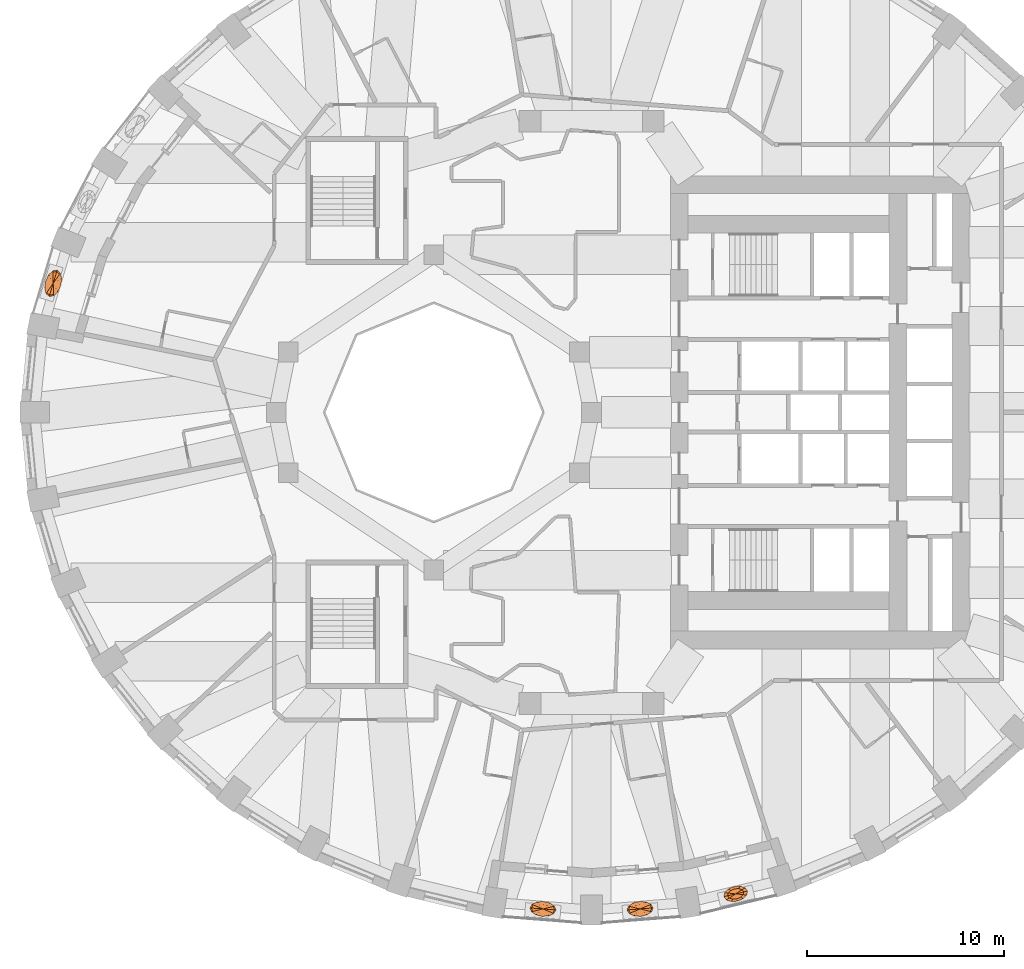
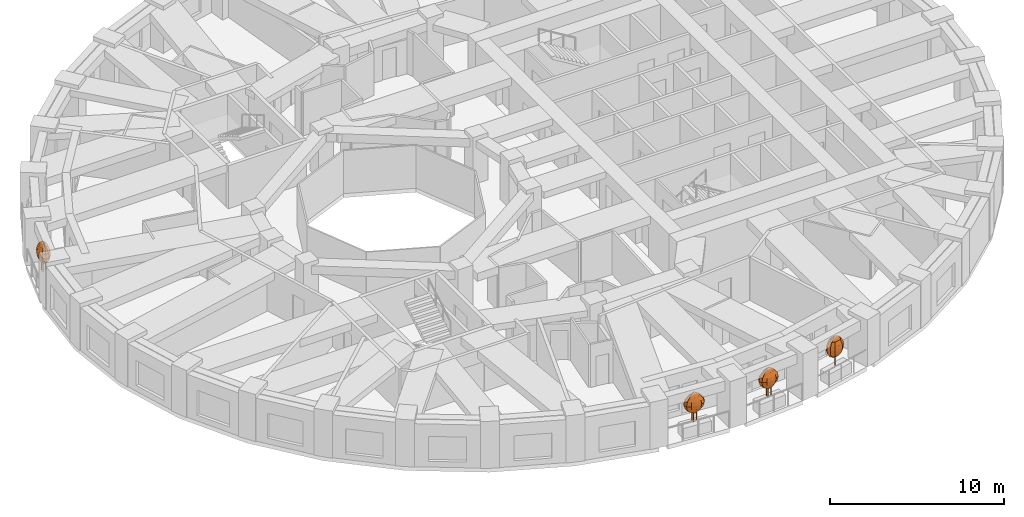
# One storey, part 12 of 13: 4 geographic elements.
"""IFC4 building model written with IfcOpenShell, lengths in metres."""

from ifc_helpers import new_model, si_unit, direction, frame, origin, place, context, subcontext, project, spatial, faceted_brep, material, constituent, constituent_set, type_object, element, save


model = new_model("IFC4")

# Units and contexts
model_context = context("Model", 3, precision=1e-05, world=origin(), true_north=direction((0.0, 1.0)))
body_context = subcontext(model_context, "Body", "Model", "MODEL_VIEW")
ifc_project = project(units=[si_unit("LENGTHUNIT", "METRE"), si_unit("AREAUNIT", "SQUARE_METRE"), si_unit("VOLUMEUNIT", "CUBIC_METRE"), si_unit("PLANEANGLEUNIT", "RADIAN"), si_unit("MASSUNIT", "GRAM", prefix="KILO")], contexts=[model_context])

# Site, building, storey
site_placement = place(None, origin())
site = spatial("IfcSite", under=ifc_project, at=site_placement, CompositionType="ELEMENT")
building_placement = place(site_placement, origin())
building = spatial("IfcBuilding", under=site, at=building_placement, Name="Taillehof Tower", CompositionType="ELEMENT")
storey_placement = place(building_placement, frame((0.0, 0.0, 31.60009765625)))
storey = spatial("IfcBuildingStorey", under=building, at=storey_placement, Name="L07", CompositionType="ELEMENT", Elevation=31.60009765625)

# Geographic elements
ifc_material_1 = material(Name="Tree bark", Category="timber")
ifc_constituent_1 = constituent(ifc_material_1, Name="Trunk", Category="timber")
ifc_material_2 = material(Name="Tree foliage")
ifc_constituent_2 = constituent(ifc_material_2, Name="Crown")
ifc_constituent_set_1 = constituent_set(constituents=[ifc_constituent_1, ifc_constituent_2], Name="Tree TR1 Columnar hornbeam")
geographic_element_type_1 = type_object("IfcGeographicElementType", Name="Tree TR1 Columnar hornbeam", PredefinedType="USERDEFINED", material=ifc_constituent_set_1)
geographic_element_1_placement = place(storey_placement, frame((7.31640625, -24.430419921875, 0.75)))
element("IfcGeographicElement", 1, at=geographic_element_1_placement, inside=storey, type_object=geographic_element_type_1, Name="Tree TR1 Columnar hornbeam", ObjectType="TREE", PredefinedType="USERDEFINED", context=body_context, shape_type="Brep", body=[
    faceted_brep([(0.030029296875, 0.0, 0.0), (0.021240234375, 0.021240234375, 0.0), (0.021240234375, 0.021240234375, 1.092529296875), (0.030029296875, 0.0, 1.092529296875), (0.0, 0.030029296875, 0.0), (0.0, 0.030029296875, 1.092529296875), (-0.021240234375, 0.021240234375, 0.0), (-0.021240234375, 0.021240234375, 1.092529296875), (-0.030029296875, 0.0, 0.0), (-0.030029296875, 0.0, 1.092529296875), (-0.021240234375, -0.021240234375, 0.0), (-0.021240234375, -0.021240234375, 1.092529296875), (0.0, -0.030029296875, 0.0), (0.0, -0.030029296875, 1.092529296875), (0.021240234375, -0.021240234375, 0.0), (0.021240234375, -0.021240234375, 1.092529296875)], [[[0, 1, 2, 3]], [[1, 4, 5, 2]], [[4, 6, 7, 5]], [[6, 8, 9, 7]], [[8, 10, 11, 9]], [[10, 12, 13, 11]], [[12, 14, 15, 13]], [[14, 0, 3, 15]], [[14, 12, 10, 8, 6, 4, 1, 0]], [[3, 2, 5, 7, 9, 11, 13, 15]]]),
    faceted_brep([(0.0, 0.0, 0.550048828125), (0.324951171875, 0.211181640625, 0.808349609375), (0.41015625, 0.09814453125, 0.808349609375), (0.15283203125, 0.267822265625, 0.808349609375), (-0.060546875, 0.25244140625, 0.808349609375), (-0.25732421875, 0.16943359375, 0.808349609375), (-0.385498046875, 0.041015625, 0.808349609375), (-0.41015625, -0.09814453125, 0.808349609375), (-0.324951171875, -0.211181640625, 0.808349609375), (-0.15283203125, -0.267822265625, 0.808349609375), (0.060546875, -0.25244140625, 0.808349609375), (0.25732421875, -0.16943359375, 0.808349609375), (0.385498046875, -0.041015625, 0.808349609375), (0.439697265625, 0.285888671875, 1.066650390625), (0.554931640625, 0.1328125, 1.066650390625), (0.20654296875, 0.362060546875, 1.066650390625), (-0.081787109375, 0.341552734375, 1.066650390625), (-0.34814453125, 0.229248046875, 1.066650390625), (-0.521484375, 0.0556640625, 1.066650390625), (-0.554931640625, -0.1328125, 1.066650390625), (-0.439697265625, -0.285888671875, 1.066650390625), (-0.20654296875, -0.362060546875, 1.066650390625), (0.081787109375, -0.341552734375, 1.066650390625), (0.34814453125, -0.229248046875, 1.066650390625), (0.521484375, -0.0556640625, 1.066650390625), (0.475830078125, 0.309326171875, 1.324951171875), (0.6005859375, 0.143798828125, 1.324951171875), (0.2236328125, 0.391845703125, 1.324951171875), (-0.088623046875, 0.36962890625, 1.324951171875), (-0.376953125, 0.248046875, 1.324951171875), (-0.564208984375, 0.060302734375, 1.324951171875), (-0.6005859375, -0.143798828125, 1.324951171875), (-0.475830078125, -0.309326171875, 1.324951171875), (-0.2236328125, -0.391845703125, 1.324951171875), (0.088623046875, -0.36962890625, 1.324951171875), (0.376953125, -0.248046875, 1.324951171875), (0.564208984375, -0.060302734375, 1.324951171875), (0.439697265625, 0.285888671875, 1.583251953125), (0.554931640625, 0.1328125, 1.583251953125), (0.20654296875, 0.362060546875, 1.583251953125), (-0.081787109375, 0.341552734375, 1.583251953125), (-0.34814453125, 0.229248046875, 1.583251953125), (-0.521484375, 0.0556640625, 1.583251953125), (-0.554931640625, -0.1328125, 1.583251953125), (-0.439697265625, -0.285888671875, 1.583251953125), (-0.20654296875, -0.362060546875, 1.583251953125), (0.081787109375, -0.341552734375, 1.583251953125), (0.34814453125, -0.229248046875, 1.583251953125), (0.521484375, -0.0556640625, 1.583251953125), (0.324951171875, 0.211181640625, 1.841552734375), (0.41015625, 0.09814453125, 1.841552734375), (0.15283203125, 0.267822265625, 1.841552734375), (-0.060546875, 0.25244140625, 1.841552734375), (-0.25732421875, 0.16943359375, 1.841552734375), (-0.385498046875, 0.041015625, 1.841552734375), (-0.41015625, -0.09814453125, 1.841552734375), (-0.324951171875, -0.211181640625, 1.841552734375), (-0.15283203125, -0.267822265625, 1.841552734375), (0.060546875, -0.25244140625, 1.841552734375), (0.25732421875, -0.16943359375, 1.841552734375), (0.385498046875, -0.041015625, 1.841552734375), (0.0, 0.0, 2.10009765625)], [[[0, 1, 2]], [[0, 3, 1]], [[0, 4, 3]], [[0, 5, 4]], [[0, 6, 5]], [[0, 7, 6]], [[0, 8, 7]], [[0, 9, 8]], [[0, 10, 9]], [[0, 11, 10]], [[0, 12, 11]], [[0, 2, 12]], [[2, 1, 13, 14]], [[1, 3, 15, 13]], [[3, 4, 16, 15]], [[4, 5, 17, 16]], [[5, 6, 18, 17]], [[6, 7, 19, 18]], [[7, 8, 20, 19]], [[8, 9, 21, 20]], [[9, 10, 22, 21]], [[10, 11, 23, 22]], [[11, 12, 24, 23]], [[12, 2, 14, 24]], [[14, 13, 25, 26]], [[13, 15, 27, 25]], [[15, 16, 28, 27]], [[16, 17, 29, 28]], [[17, 18, 30, 29]], [[18, 19, 31, 30]], [[19, 20, 32, 31]], [[20, 21, 33, 32]], [[21, 22, 34, 33]], [[22, 23, 35, 34]], [[23, 24, 36, 35]], [[24, 14, 26, 36]], [[26, 25, 37, 38]], [[25, 27, 39, 37]], [[27, 28, 40, 39]], [[28, 29, 41, 40]], [[29, 30, 42, 41]], [[30, 31, 43, 42]], [[31, 32, 44, 43]], [[32, 33, 45, 44]], [[33, 34, 46, 45]], [[34, 35, 47, 46]], [[35, 36, 48, 47]], [[36, 26, 38, 48]], [[38, 37, 49, 50]], [[37, 39, 51, 49]], [[39, 40, 52, 51]], [[40, 41, 53, 52]], [[41, 42, 54, 53]], [[42, 43, 55, 54]], [[43, 44, 56, 55]], [[44, 45, 57, 56]], [[45, 46, 58, 57]], [[46, 47, 59, 58]], [[47, 48, 60, 59]], [[48, 38, 50, 60]], [[50, 49, 61]], [[49, 51, 61]], [[51, 52, 61]], [[52, 53, 61]], [[53, 54, 61]], [[54, 55, 61]], [[55, 56, 61]], [[56, 57, 61]], [[57, 58, 61]], [[58, 59, 61]], [[59, 60, 61]], [[60, 50, 61]]]),
])
ifc_material_3 = material(Name="Tree bark", Category="timber")
ifc_constituent_3 = constituent(ifc_material_3, Name="Trunk", Category="timber")
ifc_material_4 = material(Name="Tree foliage")
ifc_constituent_4 = constituent(ifc_material_4, Name="Crown")
ifc_constituent_set_2 = constituent_set(constituents=[ifc_constituent_3, ifc_constituent_4], Name="Tree TR3 Multi-stem serviceberry")
geographic_element_type_2 = type_object("IfcGeographicElementType", Name="Tree TR3 Multi-stem serviceberry", PredefinedType="USERDEFINED", material=ifc_constituent_set_2)
geographic_element_2_placement = place(storey_placement, frame((-27.314697265625, 6.548583984375, 0.75)))
element("IfcGeographicElement", 2, at=geographic_element_2_placement, inside=storey, type_object=geographic_element_type_2, Name="Tree TR3 Multi-stem serviceberry", ObjectType="TREE", PredefinedType="USERDEFINED", context=body_context, shape_type="Brep", body=[
    faceted_brep([(0.203857421875, 0.0, 0.0), (0.1953125, 0.0205078125, 0.0), (0.1953125, 0.0205078125, 1.04248046875), (0.203857421875, 0.0, 1.04248046875), (0.175048828125, 0.02880859375, 0.0), (0.175048828125, 0.02880859375, 1.04248046875), (0.154541015625, 0.0205078125, 0.0), (0.154541015625, 0.0205078125, 1.04248046875), (0.146240234375, 0.0, 0.0), (0.146240234375, 0.0, 1.04248046875), (0.154541015625, -0.0205078125, 0.0), (0.154541015625, -0.0205078125, 1.04248046875), (0.175048828125, -0.02880859375, 0.0), (0.175048828125, -0.02880859375, 1.04248046875), (0.1953125, -0.0205078125, 0.0), (0.1953125, -0.0205078125, 1.04248046875)], [[[0, 1, 2, 3]], [[1, 4, 5, 2]], [[4, 6, 7, 5]], [[6, 8, 9, 7]], [[8, 10, 11, 9]], [[10, 12, 13, 11]], [[12, 14, 15, 13]], [[14, 0, 3, 15]], [[14, 12, 10, 8, 6, 4, 1, 0]], [[3, 2, 5, 7, 9, 11, 13, 15]]]),
    faceted_brep([(-0.05859375, 0.086669921875, 0.0), (-0.067138671875, 0.10693359375, 0.0), (-0.067138671875, 0.10693359375, 1.04248046875), (-0.05859375, 0.086669921875, 1.04248046875), (-0.08740234375, 0.115478515625, 0.0), (-0.08740234375, 0.115478515625, 1.04248046875), (-0.10791015625, 0.10693359375, 0.0), (-0.10791015625, 0.10693359375, 1.04248046875), (-0.116455078125, 0.086669921875, 0.0), (-0.116455078125, 0.086669921875, 1.04248046875), (-0.10791015625, 0.066162109375, 0.0), (-0.10791015625, 0.066162109375, 1.04248046875), (-0.08740234375, 0.0576171875, 0.0), (-0.08740234375, 0.0576171875, 1.04248046875), (-0.067138671875, 0.066162109375, 0.0), (-0.067138671875, 0.066162109375, 1.04248046875)], [[[0, 1, 2, 3]], [[1, 4, 5, 2]], [[4, 6, 7, 5]], [[6, 8, 9, 7]], [[8, 10, 11, 9]], [[10, 12, 13, 11]], [[12, 14, 15, 13]], [[14, 0, 3, 15]], [[14, 12, 10, 8, 6, 4, 1, 0]], [[3, 2, 5, 7, 9, 11, 13, 15]]]),
    faceted_brep([(-0.05859375, -0.086669921875, 0.0), (-0.067138671875, -0.066162109375, 0.0), (-0.067138671875, -0.066162109375, 1.04248046875), (-0.05859375, -0.086669921875, 1.04248046875), (-0.08740234375, -0.0576171875, 0.0), (-0.08740234375, -0.0576171875, 1.04248046875), (-0.10791015625, -0.066162109375, 0.0), (-0.10791015625, -0.066162109375, 1.04248046875), (-0.116455078125, -0.086669921875, 0.0), (-0.116455078125, -0.086669921875, 1.04248046875), (-0.10791015625, -0.10693359375, 0.0), (-0.10791015625, -0.10693359375, 1.04248046875), (-0.08740234375, -0.115478515625, 0.0), (-0.08740234375, -0.115478515625, 1.04248046875), (-0.067138671875, -0.10693359375, 0.0), (-0.067138671875, -0.10693359375, 1.04248046875)], [[[0, 1, 2, 3]], [[1, 4, 5, 2]], [[4, 6, 7, 5]], [[6, 8, 9, 7]], [[8, 10, 11, 9]], [[10, 12, 13, 11]], [[12, 14, 15, 13]], [[14, 0, 3, 15]], [[14, 12, 10, 8, 6, 4, 1, 0]], [[3, 2, 5, 7, 9, 11, 13, 15]]]),
    faceted_brep([(0.0, 0.0, 0.5), (0.010009765625, -0.366455078125, 0.75830078125), (-0.115478515625, -0.385009765625, 0.75830078125), (0.1328125, -0.249755859375, 0.75830078125), (0.219970703125, -0.06591796875, 0.75830078125), (0.248291015625, 0.135498046875, 0.75830078125), (0.2099609375, 0.300537109375, 0.75830078125), (0.115478515625, 0.385009765625, 0.75830078125), (-0.010009765625, 0.366455078125, 0.75830078125), (-0.1328125, 0.249755859375, 0.75830078125), (-0.219970703125, 0.06591796875, 0.75830078125), (-0.248291015625, -0.135498046875, 0.75830078125), (-0.2099609375, -0.300537109375, 0.75830078125), (0.015625, -0.56884765625, 1.0166015625), (-0.17919921875, -0.59765625, 1.0166015625), (0.206298828125, -0.387451171875, 1.0166015625), (0.341552734375, -0.102294921875, 1.0166015625), (0.38525390625, 0.210205078125, 1.0166015625), (0.325927734375, 0.46630859375, 1.0166015625), (0.17919921875, 0.59765625, 1.0166015625), (-0.015625, 0.56884765625, 1.0166015625), (-0.206298828125, 0.387451171875, 1.0166015625), (-0.341552734375, 0.102294921875, 1.0166015625), (-0.38525390625, -0.210205078125, 1.0166015625), (-0.325927734375, -0.46630859375, 1.0166015625), (0.017578125, -0.63818359375, 1.27490234375), (-0.200927734375, -0.67041015625, 1.27490234375), (0.2314453125, -0.434814453125, 1.27490234375), (0.383056640625, -0.11474609375, 1.27490234375), (0.432373046875, 0.23583984375, 1.27490234375), (0.36572265625, 0.523193359375, 1.27490234375), (0.200927734375, 0.67041015625, 1.27490234375), (-0.017578125, 0.63818359375, 1.27490234375), (-0.2314453125, 0.434814453125, 1.27490234375), (-0.383056640625, 0.11474609375, 1.27490234375), (-0.432373046875, -0.23583984375, 1.27490234375), (-0.36572265625, -0.523193359375, 1.27490234375), (0.015625, -0.56884765625, 1.533447265625), (-0.17919921875, -0.59765625, 1.533447265625), (0.206298828125, -0.387451171875, 1.533447265625), (0.341552734375, -0.102294921875, 1.533447265625), (0.38525390625, 0.210205078125, 1.533447265625), (0.325927734375, 0.46630859375, 1.533447265625), (0.17919921875, 0.59765625, 1.533447265625), (-0.015625, 0.56884765625, 1.533447265625), (-0.206298828125, 0.387451171875, 1.533447265625), (-0.341552734375, 0.102294921875, 1.533447265625), (-0.38525390625, -0.210205078125, 1.533447265625), (-0.325927734375, -0.46630859375, 1.533447265625), (0.010009765625, -0.366455078125, 1.791748046875), (-0.115478515625, -0.385009765625, 1.791748046875), (0.1328125, -0.249755859375, 1.791748046875), (0.219970703125, -0.06591796875, 1.791748046875), (0.248291015625, 0.135498046875, 1.791748046875), (0.2099609375, 0.300537109375, 1.791748046875), (0.115478515625, 0.385009765625, 1.791748046875), (-0.010009765625, 0.366455078125, 1.791748046875), (-0.1328125, 0.249755859375, 1.791748046875), (-0.219970703125, 0.06591796875, 1.791748046875), (-0.248291015625, -0.135498046875, 1.791748046875), (-0.2099609375, -0.300537109375, 1.791748046875), (0.0, 0.0, 2.050048828125)], [[[0, 1, 2]], [[0, 3, 1]], [[0, 4, 3]], [[0, 5, 4]], [[0, 6, 5]], [[0, 7, 6]], [[0, 8, 7]], [[0, 9, 8]], [[0, 10, 9]], [[0, 11, 10]], [[0, 12, 11]], [[0, 2, 12]], [[2, 1, 13, 14]], [[1, 3, 15, 13]], [[3, 4, 16, 15]], [[4, 5, 17, 16]], [[5, 6, 18, 17]], [[6, 7, 19, 18]], [[7, 8, 20, 19]], [[8, 9, 21, 20]], [[9, 10, 22, 21]], [[10, 11, 23, 22]], [[11, 12, 24, 23]], [[12, 2, 14, 24]], [[14, 13, 25, 26]], [[13, 15, 27, 25]], [[15, 16, 28, 27]], [[16, 17, 29, 28]], [[17, 18, 30, 29]], [[18, 19, 31, 30]], [[19, 20, 32, 31]], [[20, 21, 33, 32]], [[21, 22, 34, 33]], [[22, 23, 35, 34]], [[23, 24, 36, 35]], [[24, 14, 26, 36]], [[26, 25, 37, 38]], [[25, 27, 39, 37]], [[27, 28, 40, 39]], [[28, 29, 41, 40]], [[29, 30, 42, 41]], [[30, 31, 43, 42]], [[31, 32, 44, 43]], [[32, 33, 45, 44]], [[33, 34, 46, 45]], [[34, 35, 47, 46]], [[35, 36, 48, 47]], [[36, 26, 38, 48]], [[38, 37, 49, 50]], [[37, 39, 51, 49]], [[39, 40, 52, 51]], [[40, 41, 53, 52]], [[41, 42, 54, 53]], [[42, 43, 55, 54]], [[43, 44, 56, 55]], [[44, 45, 57, 56]], [[45, 46, 58, 57]], [[46, 47, 59, 58]], [[47, 48, 60, 59]], [[48, 38, 50, 60]], [[50, 49, 61]], [[49, 51, 61]], [[51, 52, 61]], [[52, 53, 61]], [[53, 54, 61]], [[54, 55, 61]], [[55, 56, 61]], [[56, 57, 61]], [[57, 58, 61]], [[58, 59, 61]], [[59, 60, 61]], [[60, 50, 61]]]),
])
geographic_element_3_placement = place(storey_placement, frame((-2.463623046875, -25.195556640625, 0.75)))
element("IfcGeographicElement", 3, at=geographic_element_3_placement, inside=storey, type_object=geographic_element_type_2, Name="Tree TR3 Multi-stem serviceberry", ObjectType="TREE", PredefinedType="USERDEFINED", context=body_context, shape_type="Brep", body=[
    faceted_brep([(0.195068359375, 0.0, 0.0), (0.186767578125, 0.0205078125, 0.0), (0.186767578125, 0.0205078125, 1.04248046875), (0.195068359375, 0.0, 1.04248046875), (0.166259765625, 0.02880859375, 0.0), (0.166259765625, 0.02880859375, 1.04248046875), (0.145751953125, 0.0205078125, 0.0), (0.145751953125, 0.0205078125, 1.04248046875), (0.137451171875, 0.0, 0.0), (0.137451171875, 0.0, 1.04248046875), (0.145751953125, -0.0205078125, 0.0), (0.145751953125, -0.0205078125, 1.04248046875), (0.166259765625, -0.02880859375, 0.0), (0.166259765625, -0.02880859375, 1.04248046875), (0.186767578125, -0.0205078125, 0.0), (0.186767578125, -0.0205078125, 1.04248046875)], [[[0, 1, 2, 3]], [[1, 4, 5, 2]], [[4, 6, 7, 5]], [[6, 8, 9, 7]], [[8, 10, 11, 9]], [[10, 12, 13, 11]], [[12, 14, 15, 13]], [[14, 0, 3, 15]], [[14, 12, 10, 8, 6, 4, 1, 0]], [[3, 2, 5, 7, 9, 11, 13, 15]]]),
    faceted_brep([(-0.05419921875, 0.082275390625, 0.0), (-0.062744140625, 0.102783203125, 0.0), (-0.062744140625, 0.102783203125, 1.04248046875), (-0.05419921875, 0.082275390625, 1.04248046875), (-0.0830078125, 0.111083984375, 0.0), (-0.0830078125, 0.111083984375, 1.04248046875), (-0.103515625, 0.102783203125, 0.0), (-0.103515625, 0.102783203125, 1.04248046875), (-0.112060546875, 0.082275390625, 0.0), (-0.112060546875, 0.082275390625, 1.04248046875), (-0.103515625, 0.061767578125, 0.0), (-0.103515625, 0.061767578125, 1.04248046875), (-0.0830078125, 0.053466796875, 0.0), (-0.0830078125, 0.053466796875, 1.04248046875), (-0.062744140625, 0.061767578125, 0.0), (-0.062744140625, 0.061767578125, 1.04248046875)], [[[0, 1, 2, 3]], [[1, 4, 5, 2]], [[4, 6, 7, 5]], [[6, 8, 9, 7]], [[8, 10, 11, 9]], [[10, 12, 13, 11]], [[12, 14, 15, 13]], [[14, 0, 3, 15]], [[14, 12, 10, 8, 6, 4, 1, 0]], [[3, 2, 5, 7, 9, 11, 13, 15]]]),
    faceted_brep([(-0.05419921875, -0.082275390625, 0.0), (-0.062744140625, -0.061767578125, 0.0), (-0.062744140625, -0.061767578125, 1.04248046875), (-0.05419921875, -0.082275390625, 1.04248046875), (-0.0830078125, -0.053466796875, 0.0), (-0.0830078125, -0.053466796875, 1.04248046875), (-0.103515625, -0.061767578125, 0.0), (-0.103515625, -0.061767578125, 1.04248046875), (-0.112060546875, -0.082275390625, 0.0), (-0.112060546875, -0.082275390625, 1.04248046875), (-0.103515625, -0.102783203125, 0.0), (-0.103515625, -0.102783203125, 1.04248046875), (-0.0830078125, -0.111083984375, 0.0), (-0.0830078125, -0.111083984375, 1.04248046875), (-0.062744140625, -0.102783203125, 0.0), (-0.062744140625, -0.102783203125, 1.04248046875)], [[[0, 1, 2, 3]], [[1, 4, 5, 2]], [[4, 6, 7, 5]], [[6, 8, 9, 7]], [[8, 10, 11, 9]], [[10, 12, 13, 11]], [[12, 14, 15, 13]], [[14, 0, 3, 15]], [[14, 12, 10, 8, 6, 4, 1, 0]], [[3, 2, 5, 7, 9, 11, 13, 15]]]),
    faceted_brep([(0.0, 0.0, 0.5), (0.33837890625, 0.0830078125, 0.75830078125), (0.380859375, -0.02978515625, 0.75830078125), (0.205078125, 0.173583984375, 0.75830078125), (0.01708984375, 0.217529296875, 0.75830078125), (-0.175537109375, 0.203369140625, 0.75830078125), (-0.3212890625, 0.134521484375, 0.75830078125), (-0.380859375, 0.02978515625, 0.75830078125), (-0.33837890625, -0.0830078125, 0.75830078125), (-0.205078125, -0.173583984375, 0.75830078125), (-0.01708984375, -0.217529296875, 0.75830078125), (0.175537109375, -0.203369140625, 0.75830078125), (0.3212890625, -0.134521484375, 0.75830078125), (0.52490234375, 0.12890625, 1.0166015625), (0.5908203125, -0.046142578125, 1.0166015625), (0.318359375, 0.269287109375, 1.0166015625), (0.0263671875, 0.337646484375, 1.0166015625), (-0.272705078125, 0.3154296875, 1.0166015625), (-0.49853515625, 0.208740234375, 1.0166015625), (-0.5908203125, 0.046142578125, 1.0166015625), (-0.52490234375, -0.12890625, 1.0166015625), (-0.318359375, -0.269287109375, 1.0166015625), (-0.0263671875, -0.337646484375, 1.0166015625), (0.272705078125, -0.3154296875, 1.0166015625), (0.49853515625, -0.208740234375, 1.0166015625), (0.5888671875, 0.14453125, 1.27490234375), (0.6630859375, -0.0517578125, 1.27490234375), (0.357177734375, 0.30224609375, 1.27490234375), (0.029541015625, 0.37890625, 1.27490234375), (-0.305908203125, 0.35400390625, 1.27490234375), (-0.559326171875, 0.234375, 1.27490234375), (-0.6630859375, 0.0517578125, 1.27490234375), (-0.5888671875, -0.14453125, 1.27490234375), (-0.357177734375, -0.30224609375, 1.27490234375), (-0.029541015625, -0.37890625, 1.27490234375), (0.305908203125, -0.35400390625, 1.27490234375), (0.559326171875, -0.234375, 1.27490234375), (0.52490234375, 0.12890625, 1.533447265625), (0.5908203125, -0.046142578125, 1.533447265625), (0.318359375, 0.269287109375, 1.533447265625), (0.0263671875, 0.337646484375, 1.533447265625), (-0.272705078125, 0.3154296875, 1.533447265625), (-0.49853515625, 0.208740234375, 1.533447265625), (-0.5908203125, 0.046142578125, 1.533447265625), (-0.52490234375, -0.12890625, 1.533447265625), (-0.318359375, -0.269287109375, 1.533447265625), (-0.0263671875, -0.337646484375, 1.533447265625), (0.272705078125, -0.3154296875, 1.533447265625), (0.49853515625, -0.208740234375, 1.533447265625), (0.33837890625, 0.0830078125, 1.791748046875), (0.380859375, -0.02978515625, 1.791748046875), (0.205078125, 0.173583984375, 1.791748046875), (0.01708984375, 0.217529296875, 1.791748046875), (-0.175537109375, 0.203369140625, 1.791748046875), (-0.3212890625, 0.134521484375, 1.791748046875), (-0.380859375, 0.02978515625, 1.791748046875), (-0.33837890625, -0.0830078125, 1.791748046875), (-0.205078125, -0.173583984375, 1.791748046875), (-0.01708984375, -0.217529296875, 1.791748046875), (0.175537109375, -0.203369140625, 1.791748046875), (0.3212890625, -0.134521484375, 1.791748046875), (0.0, 0.0, 2.050048828125)], [[[0, 1, 2]], [[0, 3, 1]], [[0, 4, 3]], [[0, 5, 4]], [[0, 6, 5]], [[0, 7, 6]], [[0, 8, 7]], [[0, 9, 8]], [[0, 10, 9]], [[0, 11, 10]], [[0, 12, 11]], [[0, 2, 12]], [[2, 1, 13, 14]], [[1, 3, 15, 13]], [[3, 4, 16, 15]], [[4, 5, 17, 16]], [[5, 6, 18, 17]], [[6, 7, 19, 18]], [[7, 8, 20, 19]], [[8, 9, 21, 20]], [[9, 10, 22, 21]], [[10, 11, 23, 22]], [[11, 12, 24, 23]], [[12, 2, 14, 24]], [[14, 13, 25, 26]], [[13, 15, 27, 25]], [[15, 16, 28, 27]], [[16, 17, 29, 28]], [[17, 18, 30, 29]], [[18, 19, 31, 30]], [[19, 20, 32, 31]], [[20, 21, 33, 32]], [[21, 22, 34, 33]], [[22, 23, 35, 34]], [[23, 24, 36, 35]], [[24, 14, 26, 36]], [[26, 25, 37, 38]], [[25, 27, 39, 37]], [[27, 28, 40, 39]], [[28, 29, 41, 40]], [[29, 30, 42, 41]], [[30, 31, 43, 42]], [[31, 32, 44, 43]], [[32, 33, 45, 44]], [[33, 34, 46, 45]], [[34, 35, 47, 46]], [[35, 36, 48, 47]], [[36, 26, 38, 48]], [[38, 37, 49, 50]], [[37, 39, 51, 49]], [[39, 40, 52, 51]], [[40, 41, 53, 52]], [[41, 42, 54, 53]], [[42, 43, 55, 54]], [[43, 44, 56, 55]], [[44, 45, 57, 56]], [[45, 46, 58, 57]], [[46, 47, 59, 58]], [[47, 48, 60, 59]], [[48, 38, 50, 60]], [[50, 49, 61]], [[49, 51, 61]], [[51, 52, 61]], [[52, 53, 61]], [[53, 54, 61]], [[54, 55, 61]], [[55, 56, 61]], [[56, 57, 61]], [[57, 58, 61]], [[58, 59, 61]], [[59, 60, 61]], [[60, 50, 61]]]),
])
geographic_element_4_placement = place(storey_placement, frame((2.463623046875, -25.195556640625, 0.75)))
element("IfcGeographicElement", 4, at=geographic_element_4_placement, inside=storey, type_object=geographic_element_type_2, Name="Tree TR3 Multi-stem serviceberry", ObjectType="TREE", PredefinedType="USERDEFINED", context=body_context, shape_type="Brep", body=[
    faceted_brep([(0.195068359375, 0.0, 0.0), (0.186767578125, 0.0205078125, 0.0), (0.186767578125, 0.0205078125, 1.04248046875), (0.195068359375, 0.0, 1.04248046875), (0.166259765625, 0.02880859375, 0.0), (0.166259765625, 0.02880859375, 1.04248046875), (0.145751953125, 0.0205078125, 0.0), (0.145751953125, 0.0205078125, 1.04248046875), (0.137451171875, 0.0, 0.0), (0.137451171875, 0.0, 1.04248046875), (0.145751953125, -0.0205078125, 0.0), (0.145751953125, -0.0205078125, 1.04248046875), (0.166259765625, -0.02880859375, 0.0), (0.166259765625, -0.02880859375, 1.04248046875), (0.186767578125, -0.0205078125, 0.0), (0.186767578125, -0.0205078125, 1.04248046875)], [[[0, 1, 2, 3]], [[1, 4, 5, 2]], [[4, 6, 7, 5]], [[6, 8, 9, 7]], [[8, 10, 11, 9]], [[10, 12, 13, 11]], [[12, 14, 15, 13]], [[14, 0, 3, 15]], [[14, 12, 10, 8, 6, 4, 1, 0]], [[3, 2, 5, 7, 9, 11, 13, 15]]]),
    faceted_brep([(-0.05419921875, 0.082275390625, 0.0), (-0.062744140625, 0.102783203125, 0.0), (-0.062744140625, 0.102783203125, 1.04248046875), (-0.05419921875, 0.082275390625, 1.04248046875), (-0.0830078125, 0.111083984375, 0.0), (-0.0830078125, 0.111083984375, 1.04248046875), (-0.103515625, 0.102783203125, 0.0), (-0.103515625, 0.102783203125, 1.04248046875), (-0.112060546875, 0.082275390625, 0.0), (-0.112060546875, 0.082275390625, 1.04248046875), (-0.103515625, 0.061767578125, 0.0), (-0.103515625, 0.061767578125, 1.04248046875), (-0.0830078125, 0.053466796875, 0.0), (-0.0830078125, 0.053466796875, 1.04248046875), (-0.062744140625, 0.061767578125, 0.0), (-0.062744140625, 0.061767578125, 1.04248046875)], [[[0, 1, 2, 3]], [[1, 4, 5, 2]], [[4, 6, 7, 5]], [[6, 8, 9, 7]], [[8, 10, 11, 9]], [[10, 12, 13, 11]], [[12, 14, 15, 13]], [[14, 0, 3, 15]], [[14, 12, 10, 8, 6, 4, 1, 0]], [[3, 2, 5, 7, 9, 11, 13, 15]]]),
    faceted_brep([(-0.05419921875, -0.082275390625, 0.0), (-0.062744140625, -0.061767578125, 0.0), (-0.062744140625, -0.061767578125, 1.04248046875), (-0.05419921875, -0.082275390625, 1.04248046875), (-0.0830078125, -0.053466796875, 0.0), (-0.0830078125, -0.053466796875, 1.04248046875), (-0.103515625, -0.061767578125, 0.0), (-0.103515625, -0.061767578125, 1.04248046875), (-0.112060546875, -0.082275390625, 0.0), (-0.112060546875, -0.082275390625, 1.04248046875), (-0.103515625, -0.102783203125, 0.0), (-0.103515625, -0.102783203125, 1.04248046875), (-0.0830078125, -0.111083984375, 0.0), (-0.0830078125, -0.111083984375, 1.04248046875), (-0.062744140625, -0.102783203125, 0.0), (-0.062744140625, -0.102783203125, 1.04248046875)], [[[0, 1, 2, 3]], [[1, 4, 5, 2]], [[4, 6, 7, 5]], [[6, 8, 9, 7]], [[8, 10, 11, 9]], [[10, 12, 13, 11]], [[12, 14, 15, 13]], [[14, 0, 3, 15]], [[14, 12, 10, 8, 6, 4, 1, 0]], [[3, 2, 5, 7, 9, 11, 13, 15]]]),
    faceted_brep([(0.0, 0.0, 0.5), (0.3212890625, 0.134521484375, 0.75830078125), (0.380859375, 0.02978515625, 0.75830078125), (0.175537109375, 0.203369140625, 0.75830078125), (-0.01708984375, 0.217529296875, 0.75830078125), (-0.205078125, 0.173583984375, 0.75830078125), (-0.33837890625, 0.0830078125, 0.75830078125), (-0.380859375, -0.02978515625, 0.75830078125), (-0.3212890625, -0.134521484375, 0.75830078125), (-0.175537109375, -0.203369140625, 0.75830078125), (0.01708984375, -0.217529296875, 0.75830078125), (0.205078125, -0.173583984375, 0.75830078125), (0.33837890625, -0.0830078125, 0.75830078125), (0.49853515625, 0.208740234375, 1.0166015625), (0.5908203125, 0.046142578125, 1.0166015625), (0.272705078125, 0.3154296875, 1.0166015625), (-0.0263671875, 0.337646484375, 1.0166015625), (-0.318359375, 0.269287109375, 1.0166015625), (-0.52490234375, 0.12890625, 1.0166015625), (-0.5908203125, -0.046142578125, 1.0166015625), (-0.49853515625, -0.208740234375, 1.0166015625), (-0.272705078125, -0.3154296875, 1.0166015625), (0.0263671875, -0.337646484375, 1.0166015625), (0.318359375, -0.269287109375, 1.0166015625), (0.52490234375, -0.12890625, 1.0166015625), (0.559326171875, 0.234375, 1.27490234375), (0.6630859375, 0.0517578125, 1.27490234375), (0.305908203125, 0.35400390625, 1.27490234375), (-0.029541015625, 0.37890625, 1.27490234375), (-0.357177734375, 0.30224609375, 1.27490234375), (-0.5888671875, 0.14453125, 1.27490234375), (-0.6630859375, -0.0517578125, 1.27490234375), (-0.559326171875, -0.234375, 1.27490234375), (-0.305908203125, -0.35400390625, 1.27490234375), (0.029541015625, -0.37890625, 1.27490234375), (0.357177734375, -0.30224609375, 1.27490234375), (0.5888671875, -0.14453125, 1.27490234375), (0.49853515625, 0.208740234375, 1.533447265625), (0.5908203125, 0.046142578125, 1.533447265625), (0.272705078125, 0.3154296875, 1.533447265625), (-0.0263671875, 0.337646484375, 1.533447265625), (-0.318359375, 0.269287109375, 1.533447265625), (-0.52490234375, 0.12890625, 1.533447265625), (-0.5908203125, -0.046142578125, 1.533447265625), (-0.49853515625, -0.208740234375, 1.533447265625), (-0.272705078125, -0.3154296875, 1.533447265625), (0.0263671875, -0.337646484375, 1.533447265625), (0.318359375, -0.269287109375, 1.533447265625), (0.52490234375, -0.12890625, 1.533447265625), (0.3212890625, 0.134521484375, 1.791748046875), (0.380859375, 0.02978515625, 1.791748046875), (0.175537109375, 0.203369140625, 1.791748046875), (-0.01708984375, 0.217529296875, 1.791748046875), (-0.205078125, 0.173583984375, 1.791748046875), (-0.33837890625, 0.0830078125, 1.791748046875), (-0.380859375, -0.02978515625, 1.791748046875), (-0.3212890625, -0.134521484375, 1.791748046875), (-0.175537109375, -0.203369140625, 1.791748046875), (0.01708984375, -0.217529296875, 1.791748046875), (0.205078125, -0.173583984375, 1.791748046875), (0.33837890625, -0.0830078125, 1.791748046875), (0.0, 0.0, 2.050048828125)], [[[0, 1, 2]], [[0, 3, 1]], [[0, 4, 3]], [[0, 5, 4]], [[0, 6, 5]], [[0, 7, 6]], [[0, 8, 7]], [[0, 9, 8]], [[0, 10, 9]], [[0, 11, 10]], [[0, 12, 11]], [[0, 2, 12]], [[2, 1, 13, 14]], [[1, 3, 15, 13]], [[3, 4, 16, 15]], [[4, 5, 17, 16]], [[5, 6, 18, 17]], [[6, 7, 19, 18]], [[7, 8, 20, 19]], [[8, 9, 21, 20]], [[9, 10, 22, 21]], [[10, 11, 23, 22]], [[11, 12, 24, 23]], [[12, 2, 14, 24]], [[14, 13, 25, 26]], [[13, 15, 27, 25]], [[15, 16, 28, 27]], [[16, 17, 29, 28]], [[17, 18, 30, 29]], [[18, 19, 31, 30]], [[19, 20, 32, 31]], [[20, 21, 33, 32]], [[21, 22, 34, 33]], [[22, 23, 35, 34]], [[23, 24, 36, 35]], [[24, 14, 26, 36]], [[26, 25, 37, 38]], [[25, 27, 39, 37]], [[27, 28, 40, 39]], [[28, 29, 41, 40]], [[29, 30, 42, 41]], [[30, 31, 43, 42]], [[31, 32, 44, 43]], [[32, 33, 45, 44]], [[33, 34, 46, 45]], [[34, 35, 47, 46]], [[35, 36, 48, 47]], [[36, 26, 38, 48]], [[38, 37, 49, 50]], [[37, 39, 51, 49]], [[39, 40, 52, 51]], [[40, 41, 53, 52]], [[41, 42, 54, 53]], [[42, 43, 55, 54]], [[43, 44, 56, 55]], [[44, 45, 57, 56]], [[45, 46, 58, 57]], [[46, 47, 59, 58]], [[47, 48, 60, 59]], [[48, 38, 50, 60]], [[50, 49, 61]], [[49, 51, 61]], [[51, 52, 61]], [[52, 53, 61]], [[53, 54, 61]], [[54, 55, 61]], [[55, 56, 61]], [[56, 57, 61]], [[57, 58, 61]], [[58, 59, 61]], [[59, 60, 61]], [[60, 50, 61]]]),
])

save(model, "model.ifc")
